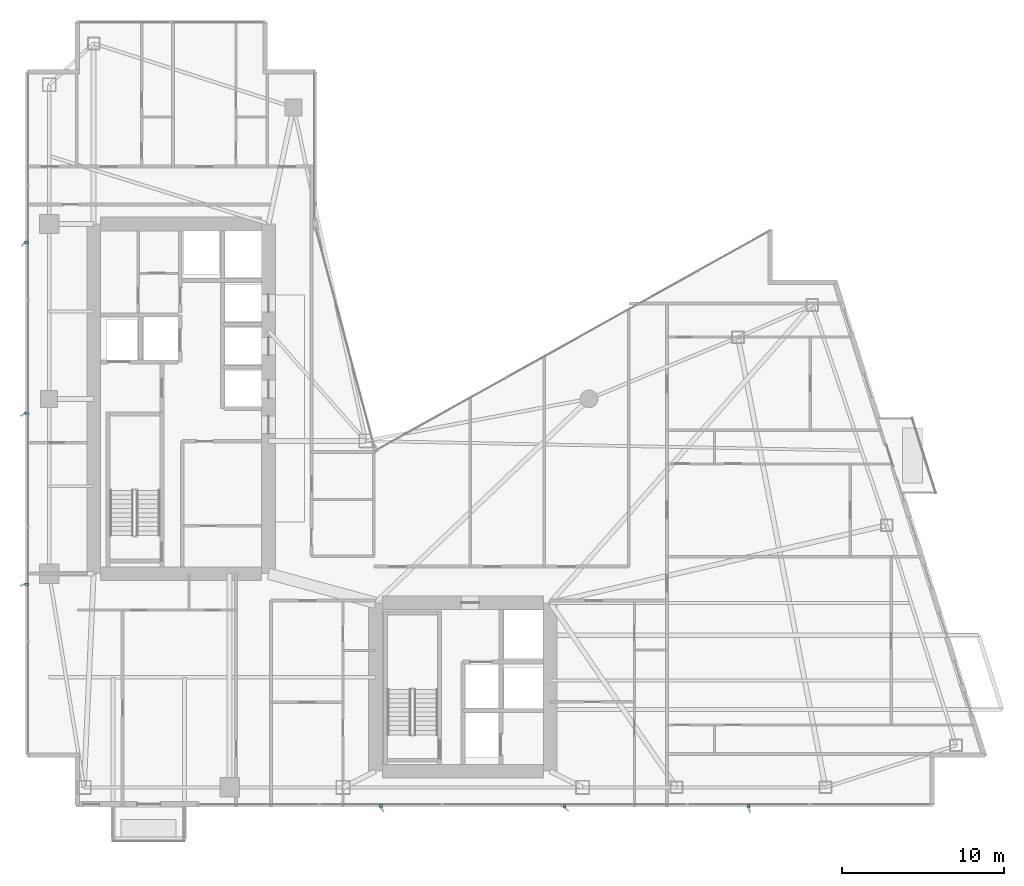
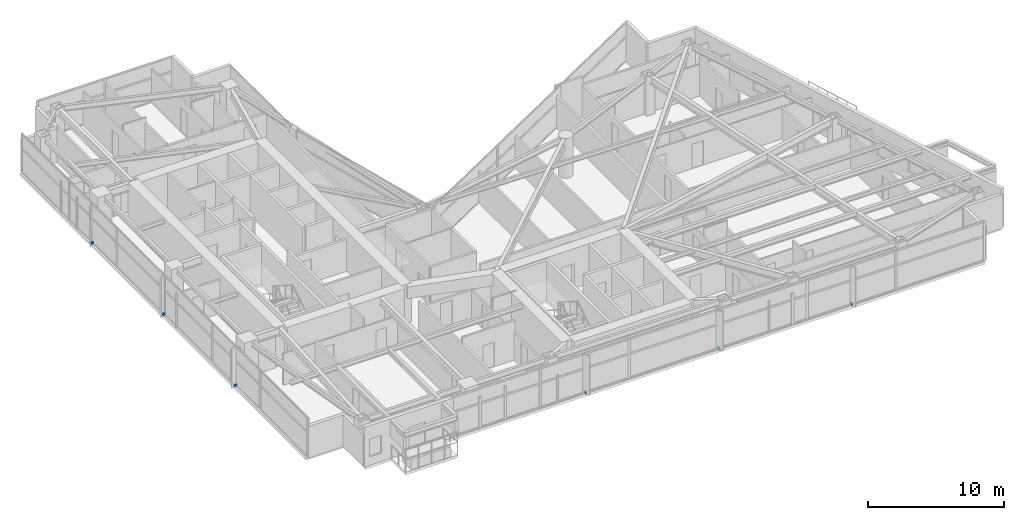
# One storey, part 26 of 28: 6 discrete accessories.
"""IFC4 building model written with IfcOpenShell, lengths in metres."""

from ifc_helpers import new_model, si_unit, direction, frame, origin, origin_2d, place, context, subcontext, project, spatial, rectangle, extrude, material, type_object, element, save


model = new_model("IFC4")

# Units and contexts
model_context = context("Model", 3, precision=1e-05, world=origin(), true_north=direction((0.0, 1.0)))
body_context = subcontext(model_context, "Body", "Model", "MODEL_VIEW")
ifc_project = project(units=[si_unit("LENGTHUNIT", "METRE"), si_unit("AREAUNIT", "SQUARE_METRE"), si_unit("VOLUMEUNIT", "CUBIC_METRE"), si_unit("PLANEANGLEUNIT", "RADIAN"), si_unit("MASSUNIT", "GRAM", prefix="KILO")], contexts=[model_context])

# Site, building, storey
site_placement = place(None, origin())
site = spatial("IfcSite", under=ifc_project, at=site_placement, CompositionType="ELEMENT")
building_placement = place(site_placement, origin())
building = spatial("IfcBuilding", under=site, at=building_placement, Name="Calvorn Quay Hotel", CompositionType="ELEMENT")
storey_placement = place(building_placement, frame((0.0, 0.0, 116.39990234375)))
storey = spatial("IfcBuildingStorey", under=building, at=storey_placement, Name="L28", CompositionType="ELEMENT", Elevation=116.39990234375)

# Discrete accessories
ifc_material = material(Name="Steel Q355B", Category="steel")
discrete_accessory_type = type_object("IfcDiscreteAccessoryType", Name="ACC-FIN-BRACKET", PredefinedType="BRACKET", material=ifc_material)
for number, where, z_axis, x_axis, name in (
    (1, (0.06005859375, 16.14990234375, 0.0302734375), (0.0, 0.0, 1.0), (1.0, 0.0, 0.0), "Fin Anchor Bracket L28-W01"),
    (2, (0.06005859375, 26.699951171875, 0.0302734375), (0.0, 0.0, 1.0), (1.0, 0.0, 0.0), "Fin Anchor Bracket L28-W02"),
    (3, (0.06005859375, 37.25, 0.0302734375), (0.0, 0.0, 1.0), (1.0, 0.0, 0.0), "Fin Anchor Bracket L28-W03"),
    (4, (21.949951171875, 2.4599609375, 0.0302734375), (0.0, 0.0, 1.0), (0.0, 1.0, 0.0), "Fin Anchor Bracket L28-S01"),
    (5, (33.300048828125, 2.4599609375, 0.0302734375), (0.0, 0.0, 1.0), (0.0, 1.0, 0.0), "Fin Anchor Bracket L28-S02"),
    (6, (44.64990234375, 2.4599609375, 0.0302734375), (0.0, 0.0, 1.0), (0.0, 1.0, 0.0), "Fin Anchor Bracket L28-S03"),
):
    element("IfcDiscreteAccessory", number, at=place(storey_placement, frame(where, z_axis=z_axis, x_axis=x_axis)), inside=storey, type_object=discrete_accessory_type, Name=name, PredefinedType="BRACKET", context=body_context, shape_type="SweptSolid", body=[
        extrude(rectangle(XDim=0.239990234375, YDim=0.159912109375, at=origin_2d()), origin(), (0.0, 0.0, 1.0), 0.179931640625),
    ])

save(model, "model.ifc")
